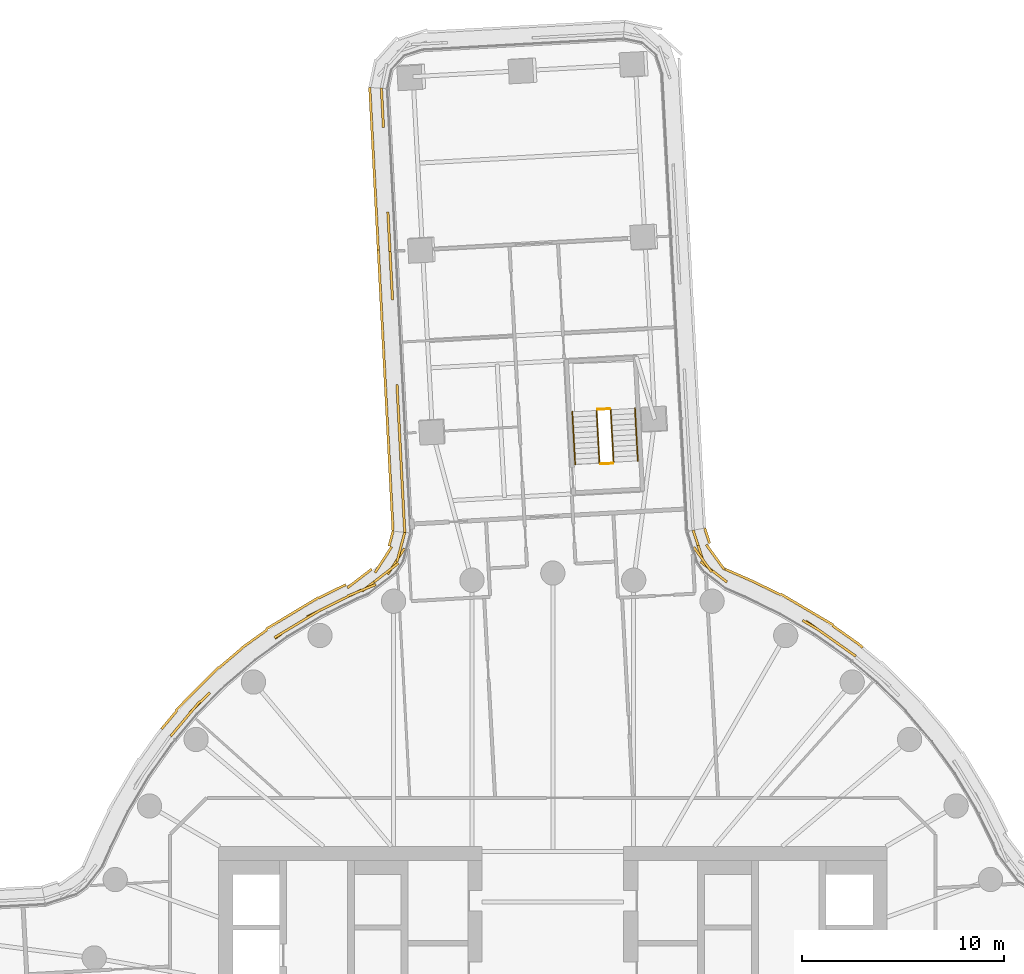
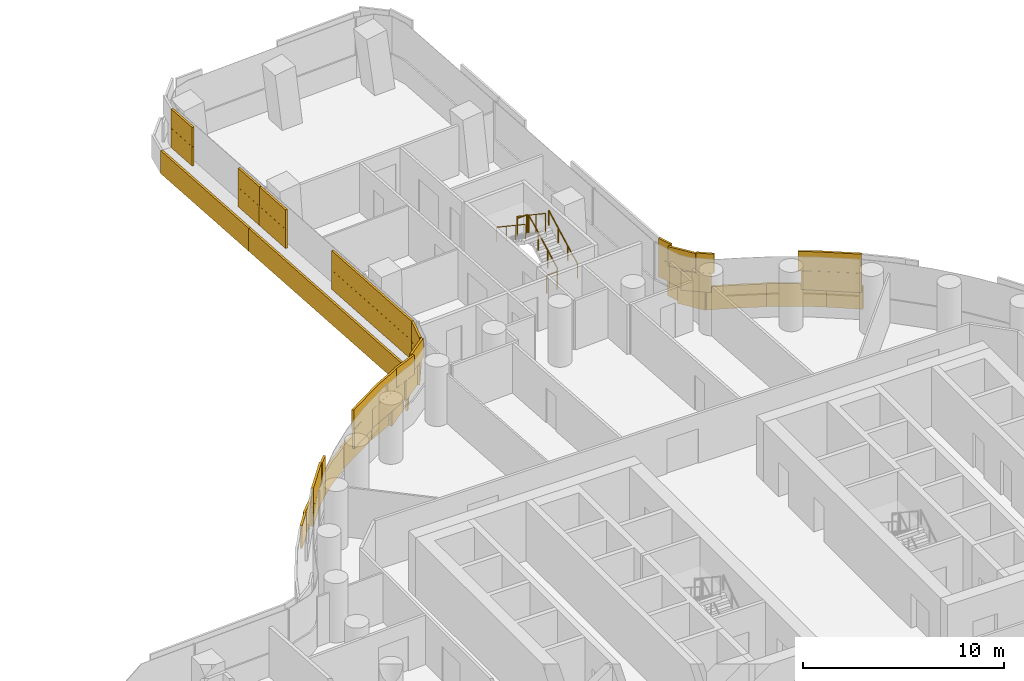
# One storey, part 30 of 31: 6 railings, 4 coverings.
"""IFC4 building model written with IfcOpenShell, lengths in metres."""

from ifc_helpers import new_model, si_unit, direction, frame, origin, origin_2d, place, context, subcontext, project, spatial, rectangle, circle, extrude, material, layer, layer_set, type_object, element, save


model = new_model("IFC4")

# Units and contexts
model_context = context("Model", 3, precision=1e-05, world=origin(), true_north=direction((0.0, 1.0)))
body_context = subcontext(model_context, "Body", "Model", "MODEL_VIEW")
ifc_project = project(units=[si_unit("LENGTHUNIT", "METRE"), si_unit("AREAUNIT", "SQUARE_METRE"), si_unit("VOLUMEUNIT", "CUBIC_METRE"), si_unit("PLANEANGLEUNIT", "RADIAN"), si_unit("MASSUNIT", "GRAM", prefix="KILO")], contexts=[model_context])

# Site, building, storey
site_placement = place(None, origin())
site = spatial("IfcSite", under=ifc_project, at=site_placement, CompositionType="ELEMENT")
building_placement = place(site_placement, origin())
building = spatial("IfcBuilding", under=site, at=building_placement, Name="Tamarind Cross Interchange Tower", CompositionType="ELEMENT")
storey_placement = place(building_placement, frame((0.0, 0.0, 45.25)))
storey = spatial("IfcBuildingStorey", under=building, at=storey_placement, Name="L09", CompositionType="ELEMENT", Elevation=45.25)

# Railings
ifc_material_1 = material(Name="Stair guard")
railing_type_1 = type_object("IfcRailingType", Name="Stair guard", PredefinedType="GUARDRAIL", material=ifc_material_1)
railing_1_placement = place(storey_placement, frame((3.00048828125, 28.4736328125, 0.17041015625)))
element("IfcRailing", 1, at=railing_1_placement, inside=storey, type_object=railing_type_1, Name="L09 ST4 stair guard 1", PredefinedType="GUARDRAIL", context=body_context, shape_type="SweptSolid", body=[
    extrude(circle(Radius=0.02392578125, at=origin_2d()), frame((0.0, 0.0, 1.076171875), z_axis=(-0.045702405566, 0.83505048246, 0.548271813855), x_axis=(-0.998505663725, -0.054648325775, 0.0)), (0.0, 0.0, 1.0), 3.109130859375),
    extrude(circle(Radius=0.02099609375, at=origin_2d()), origin(), (0.0, 0.0, 1.0), 1.052001953125),
    extrude(circle(Radius=0.02099609375, at=origin_2d()), frame((-0.04736328125, 0.865478515625, 0.568115234375)), (0.0, 0.0, 1.0), 1.052001953125),
    extrude(circle(Radius=0.02099609375, at=origin_2d()), frame((-0.0947265625, 1.730712890625, 1.136474609375)), (0.0, 0.0, 1.0), 1.052001953125),
    extrude(circle(Radius=0.02099609375, at=origin_2d()), frame((-0.14208984375, 2.59619140625, 1.70458984375)), (0.0, 0.0, 1.0), 1.052001953125),
])
railing_2_placement = place(storey_placement, frame((2.8056640625, 31.116943359375, 1.875)))
element("IfcRailing", 2, at=railing_2_placement, inside=storey, type_object=railing_type_1, Name="L09 ST4 stair guard 2", PredefinedType="GUARDRAIL", context=body_context, shape_type="SweptSolid", body=[
    extrude(circle(Radius=0.02392578125, at=origin_2d()), frame((0.0, 0.0, 1.076171875), z_axis=(-0.998512487531, -0.054523501764, 0.0), x_axis=(0.054523501764, -0.998512487531, 0.0)), (0.0, 0.0, 1.0), 0.60009765625),
    extrude(circle(Radius=0.02099609375, at=origin_2d()), origin(), (0.0, 0.0, 1.0), 1.052001953125),
    extrude(circle(Radius=0.02099609375, at=origin_2d()), frame((-0.59912109375, -0.03271484375, 0.0)), (0.0, 0.0, 1.0), 1.052001953125),
])
railing_3_placement = place(storey_placement, frame((2.159423828125, 31.031494140625, 2.04541015625)))
element("IfcRailing", 3, at=railing_3_placement, inside=storey, type_object=railing_type_1, Name="L09 ST4 stair guard 3", PredefinedType="GUARDRAIL", context=body_context, shape_type="SweptSolid", body=[
    extrude(circle(Radius=0.02392578125, at=origin_2d()), frame((0.0, 0.0, 1.076171875), z_axis=(0.04570540259, -0.835026710891, 0.54830776784), x_axis=(0.998505383266, 0.054653449926, 0.0)), (0.0, 0.0, 1.0), 3.10888671875),
    extrude(circle(Radius=0.02099609375, at=origin_2d()), origin(), (0.0, 0.0, 1.0), 1.052001953125),
    extrude(circle(Radius=0.02099609375, at=origin_2d()), frame((0.04736328125, -0.865234375, 0.568115234375)), (0.0, 0.0, 1.0), 1.052001953125),
    extrude(circle(Radius=0.02099609375, at=origin_2d()), frame((0.0947265625, -1.730712890625, 1.136474609375)), (0.0, 0.0, 1.0), 1.052001953125),
    extrude(circle(Radius=0.02099609375, at=origin_2d()), frame((0.14208984375, -2.595947265625, 1.70458984375)), (0.0, 0.0, 1.0), 1.052001953125),
])
railing_4_placement = place(storey_placement, frame((2.953369140625, 28.421142578125, 0.0)))
element("IfcRailing", 4, at=railing_4_placement, inside=storey, type_object=railing_type_1, Name="L09 ST4 stair guard 4", PredefinedType="GUARDRAIL", context=body_context, shape_type="SweptSolid", body=[
    extrude(circle(Radius=0.02392578125, at=origin_2d()), frame((0.0, 0.0, 1.076171875), z_axis=(-0.998490253451, -0.054929170422, 0.0), x_axis=(0.054929170422, -0.998490253451, 0.0)), (0.0, 0.0, 1.0), 0.60009765625),
    extrude(circle(Radius=0.02099609375, at=origin_2d()), origin(), (0.0, 0.0, 1.0), 1.052001953125),
    extrude(circle(Radius=0.02099609375, at=origin_2d()), frame((-0.59912109375, -0.032958984375, 0.0)), (0.0, 0.0, 1.0), 1.052001953125),
])
ifc_material_2 = material(Name="Stair handrail")
railing_type_2 = type_object("IfcRailingType", Name="Stair handrail", PredefinedType="HANDRAIL", material=ifc_material_2)
railing_5_placement = place(storey_placement, frame((4.19873046875, 28.539306640625, 0.17041015625)))
element("IfcRailing", 5, at=railing_5_placement, inside=storey, type_object=railing_type_2, Name="L09 ST4 stair handrail 1", PredefinedType="HANDRAIL", context=body_context, shape_type="SweptSolid", body=[
    extrude(circle(Radius=0.02392578125, at=origin_2d()), frame((0.0, 0.0, 0.8759765625), z_axis=(-0.045702405566, 0.83505048246, 0.548271813855), x_axis=(-0.998505663725, -0.054648325775, 0.0)), (0.0, 0.0, 1.0), 3.109130859375),
    extrude(circle(Radius=0.02099609375, at=origin_2d()), origin(), (0.0, 0.0, 1.0), 0.851806640625),
    extrude(circle(Radius=0.02099609375, at=origin_2d()), frame((-0.04736328125, 0.865478515625, 0.568115234375)), (0.0, 0.0, 1.0), 0.851806640625),
    extrude(circle(Radius=0.02099609375, at=origin_2d()), frame((-0.0947265625, 1.730712890625, 1.136474609375)), (0.0, 0.0, 1.0), 0.851806640625),
    extrude(circle(Radius=0.02099609375, at=origin_2d()), frame((-0.14208984375, 2.59619140625, 1.70458984375)), (0.0, 0.0, 1.0), 0.851806640625),
])
railing_6_placement = place(storey_placement, frame((0.961181640625, 30.966064453125, 2.04541015625)))
element("IfcRailing", 6, at=railing_6_placement, inside=storey, type_object=railing_type_2, Name="L09 ST4 stair handrail 2", PredefinedType="HANDRAIL", context=body_context, shape_type="SweptSolid", body=[
    extrude(circle(Radius=0.02392578125, at=origin_2d()), frame((0.0, 0.0, 0.8759765625), z_axis=(0.045702405566, -0.83505048246, 0.548271813855), x_axis=(0.998505663725, 0.054648325775, 0.0)), (0.0, 0.0, 1.0), 3.109130859375),
    extrude(circle(Radius=0.02099609375, at=origin_2d()), origin(), (0.0, 0.0, 1.0), 0.851806640625),
    extrude(circle(Radius=0.02099609375, at=origin_2d()), frame((0.04736328125, -0.865478515625, 0.568115234375)), (0.0, 0.0, 1.0), 0.851806640625),
    extrude(circle(Radius=0.02099609375, at=origin_2d()), frame((0.0947265625, -1.730712890625, 1.136474609375)), (0.0, 0.0, 1.0), 0.851806640625),
    extrude(circle(Radius=0.02099609375, at=origin_2d()), frame((0.14208984375, -2.59619140625, 1.70458984375)), (0.0, 0.0, 1.0), 0.851806640625),
])

# Coverings
ifc_material_3 = material(Name="Terracotta", Category="masonry")
ifc_layer = layer(ifc_material_3, 0.1201171875)
ifc_layer_set = layer_set([ifc_layer], Name="Terracotta")
covering_type = type_object("IfcCoveringType", Name="Terracotta baguette screen unit", PredefinedType="MOLDING", material=ifc_layer_set)
covering_1_placement = place(storey_placement, origin())
element("IfcCovering", 7, at=covering_1_placement, inside=storey, type_object=covering_type, Name="SCR-L09-10-01", PredefinedType="MOLDING", context=body_context, shape_type="SweptSolid", body=[
    extrude(rectangle(XDim=1.52001953125, YDim=0.1201171875, at=origin_2d()), frame((14.34423828125, 19.330810546875, 1.404052734375), z_axis=(0.0, 0.0, 1.0), x_axis=(-0.816341886298, 0.577568978284, 0.0)), (0.0, 0.0, 1.0), 1.1669921875),
    extrude(rectangle(XDim=1.52001953125, YDim=0.1201171875, at=origin_2d()), frame((13.119873046875, 20.197265625, 1.404052734375), z_axis=(0.0, 0.0, 1.0), x_axis=(-0.816341886298, 0.577568978284, 0.0)), (0.0, 0.0, 1.0), 1.1669921875),
    extrude(rectangle(XDim=1.52001953125, YDim=0.1201171875, at=origin_2d()), frame((7.893310546875, 23.103515625, 1.404052734375), z_axis=(0.0, 0.0, 1.0), x_axis=(-0.791188928194, 0.611571810912, 0.0)), (0.0, 0.0, 1.0), 1.1669921875),
    extrude(rectangle(XDim=1.52001953125, YDim=0.1201171875, at=origin_2d()), frame((7.17041015625, 24.3759765625, 1.404052734375), z_axis=(0.0, 0.0, 1.0), x_axis=(-0.309360702199, 0.950944770181, 0.0)), (0.0, 0.0, 1.0), 1.1669921875),
    extrude(rectangle(XDim=0.037109375, YDim=0.1201171875, at=origin_2d()), frame((6.934326171875, 25.102294921875, 1.404052734375), z_axis=(0.0, 0.0, 1.0), x_axis=(-0.309360702199, 0.950944770181, 0.0)), (0.0, 0.0, 1.0), 1.1669921875),
    extrude(rectangle(XDim=0.76318359375, YDim=0.1201171875, at=origin_2d()), frame((14.65185546875, 19.11328125, 2.5791015625), z_axis=(0.0, 0.0, 1.0), x_axis=(-0.816341886298, 0.577568978284, 0.0)), (0.0, 0.0, 1.0), 1.1669921875),
    extrude(rectangle(XDim=1.52001953125, YDim=0.1201171875, at=origin_2d()), frame((13.732177734375, 19.76416015625, 2.5791015625), z_axis=(0.0, 0.0, 1.0), x_axis=(-0.816341886298, 0.577568978284, 0.0)), (0.0, 0.0, 1.0), 1.1669921875),
    extrude(rectangle(XDim=0.922119140625, YDim=0.1201171875, at=origin_2d()), frame((12.72900390625, 20.431884765625, 2.5791015625), z_axis=(0.0, 0.0, 1.0), x_axis=(-0.861248933065, 0.508183308752, 0.0)), (0.0, 0.0, 1.0), 1.1669921875),
    extrude(rectangle(XDim=0.89794921875, YDim=0.1201171875, at=origin_2d()), frame((8.24462890625, 22.83203125, 2.5791015625), z_axis=(0.0, 0.0, 1.0), x_axis=(-0.791188928194, 0.611571810912, 0.0)), (0.0, 0.0, 1.0), 1.1669921875),
    extrude(rectangle(XDim=1.52001953125, YDim=0.1201171875, at=origin_2d()), frame((7.4052734375, 23.664306640625, 2.5791015625), z_axis=(0.0, 0.0, 1.0), x_axis=(-0.586503905821, 0.809946398508, 0.0)), (0.0, 0.0, 1.0), 1.1669921875),
    extrude(rectangle(XDim=0.787109375, YDim=0.1201171875, at=origin_2d()), frame((7.05029296875, 24.74560546875, 2.5791015625), z_axis=(0.0, 0.0, 1.0), x_axis=(-0.309360702199, 0.950944770181, 0.0)), (0.0, 0.0, 1.0), 1.1669921875),
    extrude(rectangle(XDim=0.34326171875, YDim=0.1201171875, at=origin_2d()), frame((15.1689453125, 19.436767578125, 0.00390625), z_axis=(0.0, 0.0, 1.0), x_axis=(-0.765858396687, 0.643009266048, 0.0)), (0.0, 0.0, 1.0), 1.39208984375),
    extrude(rectangle(XDim=1.52001953125, YDim=0.1201171875, at=origin_2d()), frame((14.431640625, 19.97216796875, 0.00390625), z_axis=(0.0, 0.0, 1.0), x_axis=(-0.816341886298, 0.577568978284, 0.0)), (0.0, 0.0, 1.0), 1.39208984375),
    extrude(rectangle(XDim=1.52001953125, YDim=0.1201171875, at=origin_2d()), frame((13.196533203125, 20.822265625, 0.00390625), z_axis=(0.0, 0.0, 1.0), x_axis=(-0.861248933065, 0.508183308752, 0.0)), (0.0, 0.0, 1.0), 1.39208984375),
    extrude(rectangle(XDim=1.52001953125, YDim=0.1201171875, at=origin_2d()), frame((11.90478515625, 21.58447265625, 0.00390625), z_axis=(0.0, 0.0, 1.0), x_axis=(-0.861248933065, 0.508183308752, 0.0)), (0.0, 0.0, 1.0), 1.39208984375),
    extrude(rectangle(XDim=1.52001953125, YDim=0.1201171875, at=origin_2d()), frame((10.566162109375, 22.259765625, 0.00390625), z_axis=(0.0, 0.0, 1.0), x_axis=(-0.900272776334, 0.435326231914, 0.0)), (0.0, 0.0, 1.0), 1.39208984375),
    extrude(rectangle(XDim=1.52001953125, YDim=0.1201171875, at=origin_2d()), frame((9.205078125, 22.8896484375, 0.00390625), z_axis=(0.0, 0.0, 1.0), x_axis=(-0.915926371071, 0.40134633769, 0.0)), (0.0, 0.0, 1.0), 1.39208984375),
    extrude(rectangle(XDim=1.52001953125, YDim=0.1201171875, at=origin_2d()), frame((8.023193359375, 23.789794921875, 0.00390625), z_axis=(0.0, 0.0, 1.0), x_axis=(-0.586503905821, 0.809946398508, 0.0)), (0.0, 0.0, 1.0), 1.39208984375),
    extrude(rectangle(XDim=0.7919921875, YDim=0.1201171875, at=origin_2d()), frame((7.62158203125, 24.8447265625, 0.00390625), z_axis=(0.0, 0.0, 1.0), x_axis=(-0.309360702199, 0.950944770181, 0.0)), (0.0, 0.0, 1.0), 1.39208984375),
])
covering_2_placement = place(storey_placement, origin())
element("IfcCovering", 8, at=covering_2_placement, inside=storey, type_object=covering_type, Name="SCR-L09-13-00", PredefinedType="MOLDING", context=body_context, shape_type="SweptSolid", body=[
    extrude(rectangle(XDim=0.760009765625, YDim=0.1201171875, at=origin_2d()), frame((-8.44677734375, 46.5673828125, 1.404052734375), z_axis=(0.0, 0.0, 1.0), x_axis=(0.052477900426, -0.998622085659, 0.0)), (0.0, 0.0, 1.0), 1.1669921875),
    extrude(rectangle(XDim=1.187255859375, YDim=0.1201171875, at=origin_2d()), frame((-8.396240234375, 45.60498046875, 1.404052734375), z_axis=(0.0, 0.0, 1.0), x_axis=(0.052477900426, -0.998622085659, 0.0)), (0.0, 0.0, 1.0), 1.1669921875),
    extrude(rectangle(XDim=0.6328125, YDim=0.1201171875, at=origin_2d()), frame((-8.12841796875, 40.511962890625, 1.404052734375), z_axis=(0.0, 0.0, 1.0), x_axis=(0.052477900426, -0.998622085659, 0.0)), (0.0, 0.0, 1.0), 1.1669921875),
    extrude(rectangle(XDim=1.314453125, YDim=0.1201171875, at=origin_2d()), frame((-8.077880859375, 39.5498046875, 1.404052734375), z_axis=(0.0, 0.0, 1.0), x_axis=(0.052477900426, -0.998622085659, 0.0)), (0.0, 0.0, 1.0), 1.1669921875),
    extrude(rectangle(XDim=1.510009765625, YDim=0.1201171875, at=origin_2d()), frame((-8.427001953125, 46.19287109375, 2.5791015625), z_axis=(0.0, 0.0, 1.0), x_axis=(0.052477900426, -0.998622085659, 0.0)), (0.0, 0.0, 1.0), 1.1669921875),
    extrude(rectangle(XDim=0.437255859375, YDim=0.1201171875, at=origin_2d()), frame((-8.37646484375, 45.23046875, 2.5791015625), z_axis=(0.0, 0.0, 1.0), x_axis=(0.052477900426, -0.998622085659, 0.0)), (0.0, 0.0, 1.0), 1.1669921875),
    extrude(rectangle(XDim=1.3828125, YDim=0.1201171875, at=origin_2d()), frame((-8.10888671875, 40.137451171875, 2.5791015625), z_axis=(0.0, 0.0, 1.0), x_axis=(0.052477900426, -0.998622085659, 0.0)), (0.0, 0.0, 1.0), 1.1669921875),
    extrude(rectangle(XDim=0.564453125, YDim=0.1201171875, at=origin_2d()), frame((-8.058349609375, 39.17529296875, 2.5791015625), z_axis=(0.0, 0.0, 1.0), x_axis=(0.052477900426, -0.998622085659, 0.0)), (0.0, 0.0, 1.0), 1.1669921875),
    extrude(rectangle(XDim=0.760009765625, YDim=0.1201171875, at=origin_2d()), frame((-9.023681640625, 46.60693359375, 0.00390625), z_axis=(0.0, 0.0, 1.0), x_axis=(0.052477900426, -0.998622085659, 0.0)), (0.0, 0.0, 1.0), 1.39208984375),
    extrude(rectangle(XDim=1.52001953125, YDim=0.1201171875, at=origin_2d()), frame((-8.96484375, 45.488525390625, 0.00390625), z_axis=(0.0, 0.0, 1.0), x_axis=(0.052477900426, -0.998622085659, 0.0)), (0.0, 0.0, 1.0), 1.39208984375),
    extrude(rectangle(XDim=1.52001953125, YDim=0.1201171875, at=origin_2d()), frame((-8.88623046875, 43.99072265625, 0.00390625), z_axis=(0.0, 0.0, 1.0), x_axis=(0.052477900426, -0.998622085659, 0.0)), (0.0, 0.0, 1.0), 1.39208984375),
    extrude(rectangle(XDim=1.52001953125, YDim=0.1201171875, at=origin_2d()), frame((-8.807373046875, 42.49267578125, 0.00390625), z_axis=(0.0, 0.0, 1.0), x_axis=(0.052477900426, -0.998622085659, 0.0)), (0.0, 0.0, 1.0), 1.39208984375),
    extrude(rectangle(XDim=1.52001953125, YDim=0.1201171875, at=origin_2d()), frame((-8.728759765625, 40.99462890625, 0.00390625), z_axis=(0.0, 0.0, 1.0), x_axis=(0.052477900426, -0.998622085659, 0.0)), (0.0, 0.0, 1.0), 1.39208984375),
    extrude(rectangle(XDim=1.30908203125, YDim=0.1201171875, at=origin_2d()), frame((-8.655517578125, 39.60205078125, 0.00390625), z_axis=(0.0, 0.0, 1.0), x_axis=(0.052477900426, -0.998622085659, 0.0)), (0.0, 0.0, 1.0), 1.39208984375),
])
covering_3_placement = place(storey_placement, origin())
element("IfcCovering", 9, at=covering_3_placement, inside=storey, type_object=covering_type, Name="SCR-L09-13-01", PredefinedType="MOLDING", context=body_context, shape_type="SweptSolid", body=[
    extrude(rectangle(XDim=0.20556640625, YDim=0.1201171875, at=origin_2d()), frame((-8.03857421875, 38.80078125, 1.404052734375), z_axis=(0.0, 0.0, 1.0), x_axis=(0.052477900426, -0.998622085659, 0.0)), (0.0, 0.0, 1.0), 1.1669921875),
    extrude(rectangle(XDim=1.52001953125, YDim=0.1201171875, at=origin_2d()), frame((-7.994140625, 37.9541015625, 1.404052734375), z_axis=(0.0, 0.0, 1.0), x_axis=(0.052477900426, -0.998622085659, 0.0)), (0.0, 0.0, 1.0), 1.1669921875),
    extrude(rectangle(XDim=0.714111328125, YDim=0.1201171875, at=origin_2d()), frame((-7.936279296875, 36.853759765625, 1.404052734375), z_axis=(0.0, 0.0, 1.0), x_axis=(0.052477900426, -0.998622085659, 0.0)), (0.0, 0.0, 1.0), 1.1669921875),
    extrude(rectangle(XDim=1.10595703125, YDim=0.1201171875, at=origin_2d()), frame((-7.668701171875, 31.7607421875, 1.404052734375), z_axis=(0.0, 0.0, 1.0), x_axis=(0.052477900426, -0.998622085659, 0.0)), (0.0, 0.0, 1.0), 1.1669921875),
    extrude(rectangle(XDim=1.52001953125, YDim=0.1201171875, at=origin_2d()), frame((-7.6005859375, 30.464599609375, 1.404052734375), z_axis=(0.0, 0.0, 1.0), x_axis=(0.052477900426, -0.998622085659, 0.0)), (0.0, 0.0, 1.0), 1.1669921875),
    extrude(rectangle(XDim=1.52001953125, YDim=0.1201171875, at=origin_2d()), frame((-7.521728515625, 28.966552734375, 1.404052734375), z_axis=(0.0, 0.0, 1.0), x_axis=(0.052477900426, -0.998622085659, 0.0)), (0.0, 0.0, 1.0), 1.1669921875),
    extrude(rectangle(XDim=1.52001953125, YDim=0.1201171875, at=origin_2d()), frame((-7.443115234375, 27.46875, 1.404052734375), z_axis=(0.0, 0.0, 1.0), x_axis=(0.052477900426, -0.998622085659, 0.0)), (0.0, 0.0, 1.0), 1.1669921875),
    extrude(rectangle(XDim=1.52001953125, YDim=0.1201171875, at=origin_2d()), frame((-7.3642578125, 25.970703125, 1.404052734375), z_axis=(0.0, 0.0, 1.0), x_axis=(0.052477900426, -0.998622085659, 0.0)), (0.0, 0.0, 1.0), 1.1669921875),
    extrude(rectangle(XDim=0.221435546875, YDim=0.1201171875, at=origin_2d()), frame((-7.319580078125, 25.1162109375, 1.404052734375), z_axis=(0.0, 0.0, 1.0), x_axis=(0.052477900426, -0.998622085659, 0.0)), (0.0, 0.0, 1.0), 1.1669921875),
    extrude(rectangle(XDim=0.95556640625, YDim=0.1201171875, at=origin_2d()), frame((-8.018798828125, 38.42626953125, 2.5791015625), z_axis=(0.0, 0.0, 1.0), x_axis=(0.052477900426, -0.998622085659, 0.0)), (0.0, 0.0, 1.0), 1.1669921875),
    extrude(rectangle(XDim=1.464111328125, YDim=0.1201171875, at=origin_2d()), frame((-7.9560546875, 37.228271484375, 2.5791015625), z_axis=(0.0, 0.0, 1.0), x_axis=(0.052477900426, -0.998622085659, 0.0)), (0.0, 0.0, 1.0), 1.1669921875),
    extrude(rectangle(XDim=0.35595703125, YDim=0.1201171875, at=origin_2d()), frame((-7.688232421875, 32.13525390625, 2.5791015625), z_axis=(0.0, 0.0, 1.0), x_axis=(0.052477900426, -0.998622085659, 0.0)), (0.0, 0.0, 1.0), 1.1669921875),
    extrude(rectangle(XDim=1.52001953125, YDim=0.1201171875, at=origin_2d()), frame((-7.639892578125, 31.21337890625, 2.5791015625), z_axis=(0.0, 0.0, 1.0), x_axis=(0.052477900426, -0.998622085659, 0.0)), (0.0, 0.0, 1.0), 1.1669921875),
    extrude(rectangle(XDim=1.52001953125, YDim=0.1201171875, at=origin_2d()), frame((-7.561279296875, 29.715576171875, 2.5791015625), z_axis=(0.0, 0.0, 1.0), x_axis=(0.052477900426, -0.998622085659, 0.0)), (0.0, 0.0, 1.0), 1.1669921875),
    extrude(rectangle(XDim=1.52001953125, YDim=0.1201171875, at=origin_2d()), frame((-7.482421875, 28.217529296875, 2.5791015625), z_axis=(0.0, 0.0, 1.0), x_axis=(0.052477900426, -0.998622085659, 0.0)), (0.0, 0.0, 1.0), 1.1669921875),
    extrude(rectangle(XDim=1.52001953125, YDim=0.1201171875, at=origin_2d()), frame((-7.40380859375, 26.7197265625, 2.5791015625), z_axis=(0.0, 0.0, 1.0), x_axis=(0.052477900426, -0.998622085659, 0.0)), (0.0, 0.0, 1.0), 1.1669921875),
    extrude(rectangle(XDim=0.971435546875, YDim=0.1201171875, at=origin_2d()), frame((-7.339111328125, 25.49072265625, 2.5791015625), z_axis=(0.0, 0.0, 1.0), x_axis=(0.052477900426, -0.998622085659, 0.0)), (0.0, 0.0, 1.0), 1.1669921875),
    extrude(rectangle(XDim=0.2109375, YDim=0.1201171875, at=origin_2d()), frame((-8.61572265625, 38.84326171875, 0.00390625), z_axis=(0.0, 0.0, 1.0), x_axis=(0.052477900426, -0.998622085659, 0.0)), (0.0, 0.0, 1.0), 1.39208984375),
    extrude(rectangle(XDim=1.52001953125, YDim=0.1201171875, at=origin_2d()), frame((-8.5712890625, 37.998779296875, 0.00390625), z_axis=(0.0, 0.0, 1.0), x_axis=(0.052477900426, -0.998622085659, 0.0)), (0.0, 0.0, 1.0), 1.39208984375),
    extrude(rectangle(XDim=1.52001953125, YDim=0.1201171875, at=origin_2d()), frame((-8.492431640625, 36.5009765625, 0.00390625), z_axis=(0.0, 0.0, 1.0), x_axis=(0.052477900426, -0.998622085659, 0.0)), (0.0, 0.0, 1.0), 1.39208984375),
    extrude(rectangle(XDim=1.52001953125, YDim=0.1201171875, at=origin_2d()), frame((-8.413818359375, 35.0029296875, 0.00390625), z_axis=(0.0, 0.0, 1.0), x_axis=(0.052477900426, -0.998622085659, 0.0)), (0.0, 0.0, 1.0), 1.39208984375),
    extrude(rectangle(XDim=1.52001953125, YDim=0.1201171875, at=origin_2d()), frame((-8.335205078125, 33.505126953125, 0.00390625), z_axis=(0.0, 0.0, 1.0), x_axis=(0.052477900426, -0.998622085659, 0.0)), (0.0, 0.0, 1.0), 1.39208984375),
    extrude(rectangle(XDim=1.52001953125, YDim=0.1201171875, at=origin_2d()), frame((-8.25634765625, 32.007080078125, 0.00390625), z_axis=(0.0, 0.0, 1.0), x_axis=(0.052477900426, -0.998622085659, 0.0)), (0.0, 0.0, 1.0), 1.39208984375),
    extrude(rectangle(XDim=1.52001953125, YDim=0.1201171875, at=origin_2d()), frame((-8.177734375, 30.50927734375, 0.00390625), z_axis=(0.0, 0.0, 1.0), x_axis=(0.052477900426, -0.998622085659, 0.0)), (0.0, 0.0, 1.0), 1.39208984375),
    extrude(rectangle(XDim=1.52001953125, YDim=0.1201171875, at=origin_2d()), frame((-8.098876953125, 29.01123046875, 0.00390625), z_axis=(0.0, 0.0, 1.0), x_axis=(0.052477900426, -0.998622085659, 0.0)), (0.0, 0.0, 1.0), 1.39208984375),
    extrude(rectangle(XDim=1.52001953125, YDim=0.1201171875, at=origin_2d()), frame((-8.020263671875, 27.513427734375, 0.00390625), z_axis=(0.0, 0.0, 1.0), x_axis=(0.052477900426, -0.998622085659, 0.0)), (0.0, 0.0, 1.0), 1.39208984375),
    extrude(rectangle(XDim=1.52001953125, YDim=0.1201171875, at=origin_2d()), frame((-7.94140625, 26.015380859375, 0.00390625), z_axis=(0.0, 0.0, 1.0), x_axis=(0.052477900426, -0.998622085659, 0.0)), (0.0, 0.0, 1.0), 1.39208984375),
    extrude(rectangle(XDim=0.206298828125, YDim=0.1201171875, at=origin_2d()), frame((-7.897216796875, 25.17333984375, 0.00390625), z_axis=(0.0, 0.0, 1.0), x_axis=(0.052477900426, -0.998622085659, 0.0)), (0.0, 0.0, 1.0), 1.39208984375),
])
covering_4_placement = place(storey_placement, origin())
element("IfcCovering", 10, at=covering_4_placement, inside=storey, type_object=covering_type, Name="SCR-L09-14-00", PredefinedType="MOLDING", context=body_context, shape_type="SweptSolid", body=[
    extrude(rectangle(XDim=0.760009765625, YDim=0.1201171875, at=origin_2d()), frame((-7.409912109375, 24.64794921875, 1.404052734375), z_axis=(0.0, 0.0, 1.0), x_axis=(-0.255787489975, -0.966733034489, 0.0)), (0.0, 0.0, 1.0), 1.1669921875),
    extrude(rectangle(XDim=1.52001953125, YDim=0.1201171875, at=origin_2d()), frame((-7.740966796875, 23.57958984375, 1.404052734375), z_axis=(0.0, 0.0, 1.0), x_axis=(-0.541340002112, -0.840803783361, 0.0)), (0.0, 0.0, 1.0), 1.1669921875),
    extrude(rectangle(XDim=1.52001953125, YDim=0.1201171875, at=origin_2d()), frame((-8.82373046875, 22.567138671875, 1.404052734375), z_axis=(0.0, 0.0, 1.0), x_axis=(-0.79204260338, -0.610465817578, 0.0)), (0.0, 0.0, 1.0), 1.1669921875),
    extrude(rectangle(XDim=1.52001953125, YDim=0.1201171875, at=origin_2d()), frame((-10.123779296875, 21.840576171875, 1.404052734375), z_axis=(0.0, 0.0, 1.0), x_axis=(-0.896492548518, -0.443058811505, 0.0)), (0.0, 0.0, 1.0), 1.1669921875),
    extrude(rectangle(XDim=1.52001953125, YDim=0.1201171875, at=origin_2d()), frame((-11.46875, 21.176025390625, 1.404052734375), z_axis=(0.0, 0.0, 1.0), x_axis=(-0.896492548518, -0.443058811505, 0.0)), (0.0, 0.0, 1.0), 1.1669921875),
    extrude(rectangle(XDim=1.52001953125, YDim=0.1201171875, at=origin_2d()), frame((-12.7578125, 20.40966796875, 1.404052734375), z_axis=(0.0, 0.0, 1.0), x_axis=(-0.856843065292, -0.515577308909, 0.0)), (0.0, 0.0, 1.0), 1.1669921875),
    extrude(rectangle(XDim=0.4140625, YDim=0.1201171875, at=origin_2d()), frame((-13.556884765625, 19.8935546875, 1.404052734375), z_axis=(0.0, 0.0, 1.0), x_axis=(-0.811340475102, -0.584573890505, 0.0)), (0.0, 0.0, 1.0), 1.1669921875),
    extrude(rectangle(XDim=1.40576171875, YDim=0.1201171875, at=origin_2d()), frame((-17.433837890625, 16.596435546875, 1.404052734375), z_axis=(0.0, 0.0, 1.0), x_axis=(-0.704057148523, -0.710143317658, 0.0)), (0.0, 0.0, 1.0), 1.1669921875),
    extrude(rectangle(XDim=1.5068359375, YDim=0.1201171875, at=origin_2d()), frame((-18.394775390625, 15.51708984375, 1.404052734375), z_axis=(0.0, 0.0, 1.0), x_axis=(-0.643009266048, -0.765858396687, 0.0)), (0.0, 0.0, 1.0), 1.1669921875),
    extrude(rectangle(XDim=1.510009765625, YDim=0.1201171875, at=origin_2d()), frame((-7.505859375, 24.285400390625, 2.5791015625), z_axis=(0.0, 0.0, 1.0), x_axis=(-0.255787489975, -0.966733034489, 0.0)), (0.0, 0.0, 1.0), 1.1669921875),
    extrude(rectangle(XDim=1.52001953125, YDim=0.1201171875, at=origin_2d()), frame((-8.229736328125, 23.025146484375, 2.5791015625), z_axis=(0.0, 0.0, 1.0), x_axis=(-0.79204260338, -0.610465817578, 0.0)), (0.0, 0.0, 1.0), 1.1669921875),
    extrude(rectangle(XDim=1.52001953125, YDim=0.1201171875, at=origin_2d()), frame((-9.441162109375, 22.14990234375, 2.5791015625), z_axis=(0.0, 0.0, 1.0), x_axis=(-0.925720298854, -0.378208842163, 0.0)), (0.0, 0.0, 1.0), 1.1669921875),
    extrude(rectangle(XDim=1.52001953125, YDim=0.1201171875, at=origin_2d()), frame((-10.796142578125, 21.50830078125, 2.5791015625), z_axis=(0.0, 0.0, 1.0), x_axis=(-0.896492548518, -0.443058811505, 0.0)), (0.0, 0.0, 1.0), 1.1669921875),
    extrude(rectangle(XDim=1.52001953125, YDim=0.1201171875, at=origin_2d()), frame((-12.114990234375, 20.79638671875, 2.5791015625), z_axis=(0.0, 0.0, 1.0), x_axis=(-0.856843065292, -0.515577308909, 0.0)), (0.0, 0.0, 1.0), 1.1669921875),
    extrude(rectangle(XDim=1.1640625, YDim=0.1201171875, at=origin_2d()), frame((-13.252197265625, 20.112060546875, 2.5791015625), z_axis=(0.0, 0.0, 1.0), x_axis=(-0.856843065292, -0.515577308909, 0.0)), (0.0, 0.0, 1.0), 1.1669921875),
    extrude(rectangle(XDim=0.65576171875, YDim=0.1201171875, at=origin_2d()), frame((-17.169921875, 16.86279296875, 2.5791015625), z_axis=(0.0, 0.0, 1.0), x_axis=(-0.704057148523, -0.710143317658, 0.0)), (0.0, 0.0, 1.0), 1.1669921875),
    extrude(rectangle(XDim=1.52001953125, YDim=0.1201171875, at=origin_2d()), frame((-17.91357421875, 16.09033203125, 2.5791015625), z_axis=(0.0, 0.0, 1.0), x_axis=(-0.643009266048, -0.765858396687, 0.0)), (0.0, 0.0, 1.0), 1.1669921875),
    extrude(rectangle(XDim=0.7568359375, YDim=0.1201171875, at=origin_2d()), frame((-18.635986328125, 15.22998046875, 2.5791015625), z_axis=(0.0, 0.0, 1.0), x_axis=(-0.643009266048, -0.765858396687, 0.0)), (0.0, 0.0, 1.0), 1.1669921875),
    extrude(rectangle(XDim=0.760009765625, YDim=0.1201171875, at=origin_2d()), frame((-7.989013671875, 24.702880859375, 0.00390625), z_axis=(0.0, 0.0, 1.0), x_axis=(-0.255787489975, -0.966733034489, 0.0)), (0.0, 0.0, 1.0), 1.39208984375),
    extrude(rectangle(XDim=1.52001953125, YDim=0.1201171875, at=origin_2d()), frame((-8.370361328125, 23.662109375, 0.00390625), z_axis=(0.0, 0.0, 1.0), x_axis=(-0.541340002112, -0.840803783361, 0.0)), (0.0, 0.0, 1.0), 1.39208984375),
    extrude(rectangle(XDim=1.52001953125, YDim=0.1201171875, at=origin_2d()), frame((-9.546142578125, 22.735107421875, 0.00390625), z_axis=(0.0, 0.0, 1.0), x_axis=(-0.79204260338, -0.610465817578, 0.0)), (0.0, 0.0, 1.0), 1.39208984375),
    extrude(rectangle(XDim=1.52001953125, YDim=0.1201171875, at=origin_2d()), frame((-10.90185546875, 22.096435546875, 0.00390625), z_axis=(0.0, 0.0, 1.0), x_axis=(-0.896492548518, -0.443058811505, 0.0)), (0.0, 0.0, 1.0), 1.39208984375),
    extrude(rectangle(XDim=1.52001953125, YDim=0.1201171875, at=origin_2d()), frame((-12.228271484375, 21.398193359375, 0.00390625), z_axis=(0.0, 0.0, 1.0), x_axis=(-0.856843065292, -0.515577308909, 0.0)), (0.0, 0.0, 1.0), 1.39208984375),
    extrude(rectangle(XDim=1.52001953125, YDim=0.1201171875, at=origin_2d()), frame((-13.513427734375, 20.624755859375, 0.00390625), z_axis=(0.0, 0.0, 1.0), x_axis=(-0.856843065292, -0.515577308909, 0.0)), (0.0, 0.0, 1.0), 1.39208984375),
    extrude(rectangle(XDim=1.52001953125, YDim=0.1201171875, at=origin_2d()), frame((-14.73388671875, 19.753173828125, 0.00390625), z_axis=(0.0, 0.0, 1.0), x_axis=(-0.811340475102, -0.584573890505, 0.0)), (0.0, 0.0, 1.0), 1.39208984375),
    extrude(rectangle(XDim=1.52001953125, YDim=0.1201171875, at=origin_2d()), frame((-15.905517578125, 18.818603515625, 0.00390625), z_axis=(0.0, 0.0, 1.0), x_axis=(-0.760295606781, -0.64957723968, 0.0)), (0.0, 0.0, 1.0), 1.39208984375),
    extrude(rectangle(XDim=1.52001953125, YDim=0.1201171875, at=origin_2d()), frame((-17.0263671875, 17.822998046875, 0.00390625), z_axis=(0.0, 0.0, 1.0), x_axis=(-0.704057148523, -0.710143317658, 0.0)), (0.0, 0.0, 1.0), 1.39208984375),
    extrude(rectangle(XDim=1.52001953125, YDim=0.1201171875, at=origin_2d()), frame((-18.082275390625, 16.7578125, 0.00390625), z_axis=(0.0, 0.0, 1.0), x_axis=(-0.704057148523, -0.710143317658, 0.0)), (0.0, 0.0, 1.0), 1.39208984375),
    extrude(rectangle(XDim=1.1767578125, YDim=0.1201171875, at=origin_2d()), frame((-18.947998046875, 15.7509765625, 0.00390625), z_axis=(0.0, 0.0, 1.0), x_axis=(-0.643009266048, -0.765858396687, 0.0)), (0.0, 0.0, 1.0), 1.39208984375),
])

save(model, "model.ifc")
